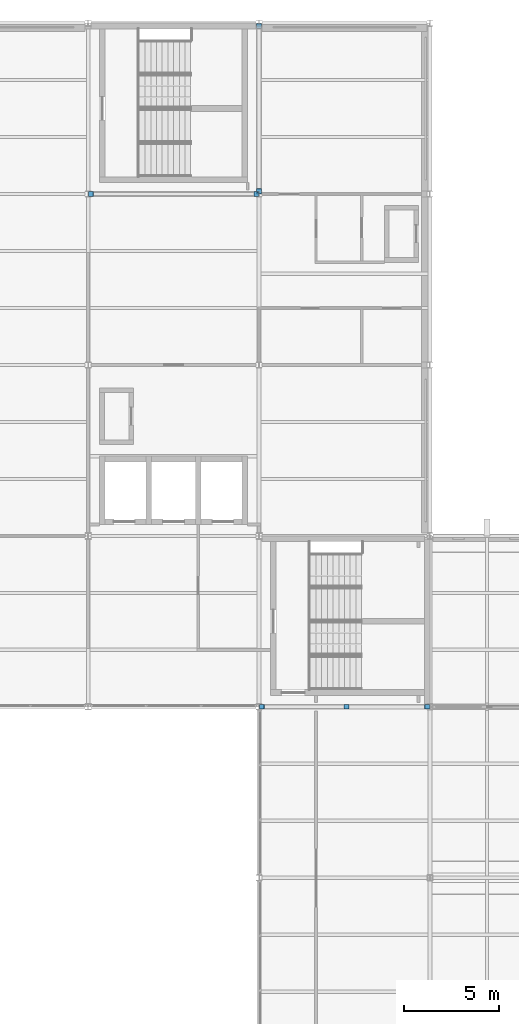
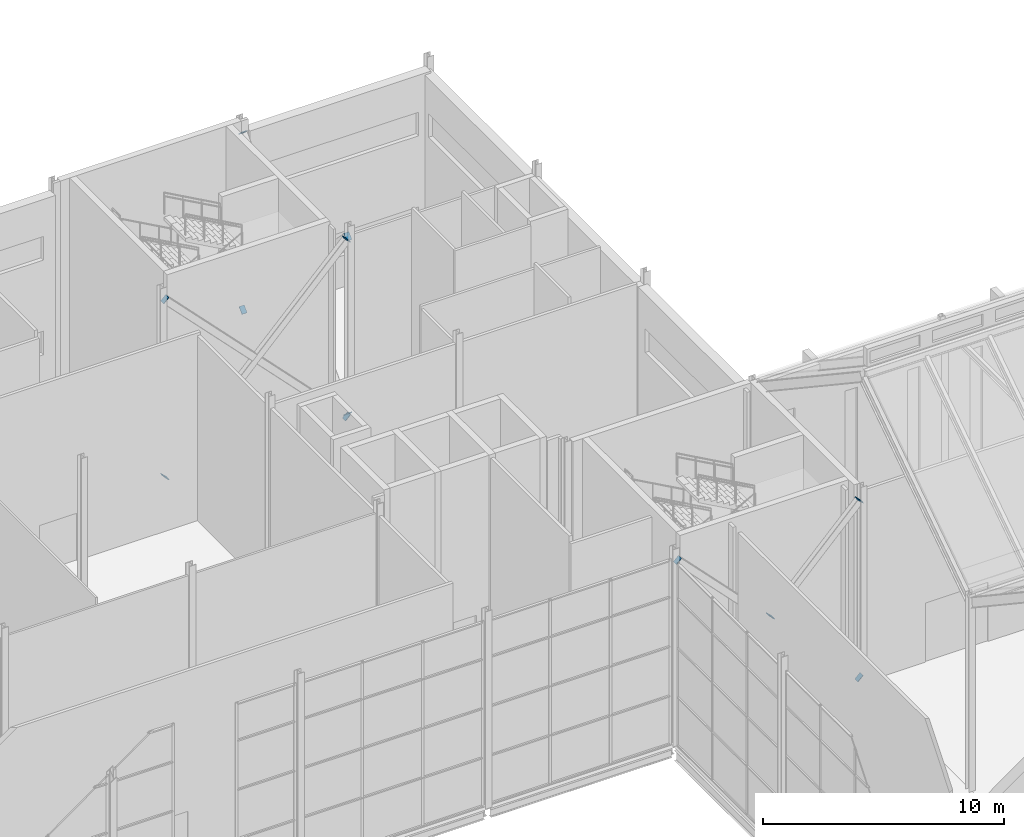
# One storey, part 103 of 111: 12 discrete accessories.
"""IFC4 building model written with IfcOpenShell, lengths in metres."""

from ifc_helpers import new_model, si_unit, direction, frame, origin, place, context, subcontext, project, spatial, polyline, outline, extrude, material, layer, layer_set, type_object, element, save


model = new_model("IFC4")

# Units and contexts
model_context = context("Model", 3, precision=1e-05, world=origin(), true_north=direction((0.0, 1.0)))
body_context = subcontext(model_context, "Body", "Model", "MODEL_VIEW")
ifc_project = project(units=[si_unit("LENGTHUNIT", "METRE"), si_unit("AREAUNIT", "SQUARE_METRE"), si_unit("VOLUMEUNIT", "CUBIC_METRE"), si_unit("PLANEANGLEUNIT", "RADIAN"), si_unit("MASSUNIT", "GRAM", prefix="KILO")], contexts=[model_context])

# Site, building, storey
site_placement = place(None, origin())
site = spatial("IfcSite", under=ifc_project, at=site_placement, CompositionType="ELEMENT")
building_placement = place(site_placement, origin())
building = spatial("IfcBuilding", under=site, at=building_placement, Name="Shorebreak Coast Museum", CompositionType="ELEMENT")
storey_placement = place(building_placement, frame((0.0, 0.0, 16.0)))
storey = spatial("IfcBuildingStorey", under=building, at=storey_placement, Name="L03", CompositionType="ELEMENT", Elevation=16.0)

# Discrete accessories
ifc_material = material(Name="Steel Grade 300", Category="steel")
ifc_layer = layer(ifc_material, 0.02490234375)
ifc_layer_set = layer_set([ifc_layer], Name="Steel Grade 300")
discrete_accessory_type = type_object("IfcDiscreteAccessoryType", Name="End plate 250 x 350 x 25", PredefinedType="BRACKET", material=ifc_layer_set)
discrete_accessory_1_placement = place(storey_placement, frame((112.734619140625, 80.875, 4.777099609375), z_axis=(0.695862655267, 0.0, 0.718174884694), x_axis=(0.0, 1.0, 0.0)))
element("IfcDiscreteAccessory", 1, at=discrete_accessory_1_placement, inside=storey, type_object=discrete_accessory_type, Name="End plate X-brace bay 04 L03 diagonal 1 end 1", PredefinedType="BRACKET", context=body_context, shape_type="SweptSolid", body=[
    extrude(outline(polyline([(0.0, 0.0), (0.25, 0.0), (0.25, 0.35014430204856983), (0.0, 0.35014430204856983), (0.0, 0.0)])), origin(), (0.0, 0.0, -1.0), 0.02490234375),
])
discrete_accessory_2_placement = place(storey_placement, frame((116.990478515625, 80.875, 9.171142578125), z_axis=(0.696211202838, 0.0, 0.717837001723), x_axis=(0.0, 1.0, 0.0)))
element("IfcDiscreteAccessory", 2, at=discrete_accessory_2_placement, inside=storey, type_object=discrete_accessory_type, Name="End plate X-brace bay 04 L03 diagonal 1 end 2", PredefinedType="BRACKET", context=body_context, shape_type="SweptSolid", body=[
    extrude(outline(polyline([(0.0, 0.0), (0.25, 0.0), (0.25, 0.349969007618514), (0.0, 0.349969007618514), (0.0, 0.0)])), origin(), (0.0, 0.0, -1.0), 0.02490234375),
])
discrete_accessory_3_placement = place(storey_placement, frame((116.7216796875, 81.125, 0.17822265625), z_axis=(-0.695862655267, 0.0, 0.718174884694), x_axis=(0.0, -1.0, 0.0)))
element("IfcDiscreteAccessory", 3, at=discrete_accessory_3_placement, inside=storey, type_object=discrete_accessory_type, Name="End plate X-brace bay 04 L03 diagonal 2 end 1", PredefinedType="BRACKET", context=body_context, shape_type="SweptSolid", body=[
    extrude(outline(polyline([(0.0, 0.0), (0.25, 0.0), (0.25, 0.35014430204856983), (0.0, 0.35014430204856983), (0.0, 0.0)])), origin(), (0.0, 0.0, -1.0), 0.02490234375),
])
discrete_accessory_4_placement = place(storey_placement, frame((108.011474609375, 81.125, 9.171142578125), z_axis=(-0.696211202838, 0.0, 0.717837001723), x_axis=(0.0, -1.0, 0.0)))
element("IfcDiscreteAccessory", 4, at=discrete_accessory_4_placement, inside=storey, type_object=discrete_accessory_type, Name="End plate X-brace bay 04 L03 diagonal 2 end 2", PredefinedType="BRACKET", context=body_context, shape_type="SweptSolid", body=[
    extrude(outline(polyline([(0.0, 0.0), (0.25, 0.0), (0.25, 0.349969007618514), (0.0, 0.349969007618514), (0.0, 0.0)])), origin(), (0.0, 0.0, -1.0), 0.02490234375),
])
discrete_accessory_5_placement = place(storey_placement, frame((99.2783203125, 107.875, 0.17822265625), z_axis=(0.695862655267, 0.0, 0.718174884694), x_axis=(0.0, 1.0, 0.0)))
element("IfcDiscreteAccessory", 5, at=discrete_accessory_5_placement, inside=storey, type_object=discrete_accessory_type, Name="End plate X-brace bay 11 L03 diagonal 1 end 1", PredefinedType="BRACKET", context=body_context, shape_type="SweptSolid", body=[
    extrude(outline(polyline([(0.0, 0.0), (0.25, 0.0), (0.25, 0.35014430204856983), (0.0, 0.35014430204856983), (0.0, 0.0)])), origin(), (0.0, 0.0, -1.0), 0.02490234375),
])
discrete_accessory_6_placement = place(storey_placement, frame((107.990478515625, 107.875, 9.171142578125), z_axis=(0.696211202838, 0.0, 0.717837001723), x_axis=(0.0, 1.0, 0.0)))
element("IfcDiscreteAccessory", 6, at=discrete_accessory_6_placement, inside=storey, type_object=discrete_accessory_type, Name="End plate X-brace bay 11 L03 diagonal 1 end 2", PredefinedType="BRACKET", context=body_context, shape_type="SweptSolid", body=[
    extrude(outline(polyline([(0.0, 0.0), (0.25, 0.0), (0.25, 0.349969007618514), (0.0, 0.349969007618514), (0.0, 0.0)])), origin(), (0.0, 0.0, -1.0), 0.02490234375),
])
discrete_accessory_7_placement = place(storey_placement, frame((107.7216796875, 108.125, 0.17822265625), z_axis=(-0.695862655267, 0.0, 0.718174884694), x_axis=(0.0, -1.0, 0.0)))
element("IfcDiscreteAccessory", 7, at=discrete_accessory_7_placement, inside=storey, type_object=discrete_accessory_type, Name="End plate X-brace bay 11 L03 diagonal 2 end 1", PredefinedType="BRACKET", context=body_context, shape_type="SweptSolid", body=[
    extrude(outline(polyline([(0.0, 0.0), (0.25, 0.0), (0.25, 0.35014430204856983), (0.0, 0.35014430204856983), (0.0, 0.0)])), origin(), (0.0, 0.0, -1.0), 0.02490234375),
])
discrete_accessory_8_placement = place(storey_placement, frame((99.009521484375, 108.125, 9.171142578125), z_axis=(-0.696211202838, 0.0, 0.717837001723), x_axis=(0.0, -1.0, 0.0)))
element("IfcDiscreteAccessory", 8, at=discrete_accessory_8_placement, inside=storey, type_object=discrete_accessory_type, Name="End plate X-brace bay 11 L03 diagonal 2 end 2", PredefinedType="BRACKET", context=body_context, shape_type="SweptSolid", body=[
    extrude(outline(polyline([(0.0, 0.0), (0.25, 0.0), (0.25, 0.349969007618514), (0.0, 0.349969007618514), (0.0, 0.0)])), origin(), (0.0, 0.0, -1.0), 0.02490234375),
])
discrete_accessory_9_placement = place(storey_placement, frame((108.125, 108.27978515625, 0.17822265625), z_axis=(0.0, 0.695502765476, 0.718523418696), x_axis=(-1.0, 0.0, 0.0)))
element("IfcDiscreteAccessory", 9, at=discrete_accessory_9_placement, inside=storey, type_object=discrete_accessory_type, Name="End plate X-brace bay 12 L03 diagonal 1 end 1", PredefinedType="BRACKET", context=body_context, shape_type="SweptSolid", body=[
    extrude(outline(polyline([(0.0, 0.0), (0.25, 0.0), (0.25, 0.34997445762620044), (0.0, 0.34997445762620044), (0.0, 0.0)])), origin(), (0.0, 0.0, -1.0), 0.02490234375),
])
discrete_accessory_10_placement = place(storey_placement, frame((108.125, 116.9794921875, 9.17138671875), z_axis=(0.0, 0.69514235147, 0.718872110456), x_axis=(-1.0, 0.0, 0.0)))
element("IfcDiscreteAccessory", 10, at=discrete_accessory_10_placement, inside=storey, type_object=discrete_accessory_type, Name="End plate X-brace bay 12 L03 diagonal 1 end 2", PredefinedType="BRACKET", context=body_context, shape_type="SweptSolid", body=[
    extrude(outline(polyline([(0.0, 0.0), (0.25, 0.0), (0.25, 0.3498047011315254), (0.0, 0.3498047011315254), (0.0, 0.0)])), origin(), (0.0, 0.0, -1.0), 0.02490234375),
])
discrete_accessory_11_placement = place(storey_placement, frame((107.875, 116.710693359375, 0.17822265625), z_axis=(0.0, -0.695502765476, 0.718523418696), x_axis=(1.0, 0.0, 0.0)))
element("IfcDiscreteAccessory", 11, at=discrete_accessory_11_placement, inside=storey, type_object=discrete_accessory_type, Name="End plate X-brace bay 12 L03 diagonal 2 end 1", PredefinedType="BRACKET", context=body_context, shape_type="SweptSolid", body=[
    extrude(outline(polyline([(0.0, 0.0), (0.25, 0.0), (0.25, 0.34997445762620044), (0.0, 0.34997445762620044), (0.0, 0.0)])), origin(), (0.0, 0.0, -1.0), 0.02490234375),
])
discrete_accessory_12_placement = place(storey_placement, frame((107.875, 108.0107421875, 9.17138671875), z_axis=(0.0, -0.69479367414, 0.719209114496), x_axis=(1.0, 0.0, 0.0)))
element("IfcDiscreteAccessory", 12, at=discrete_accessory_12_placement, inside=storey, type_object=discrete_accessory_type, Name="End plate X-brace bay 12 L03 diagonal 2 end 2", PredefinedType="BRACKET", context=body_context, shape_type="SweptSolid", body=[
    extrude(outline(polyline([(0.0, 0.0), (0.25, 0.0), (0.25, 0.34998024816637563), (0.0, 0.34998024816637563), (0.0, 0.0)])), origin(), (0.0, 0.0, -1.0), 0.02490234375),
])

save(model, "model.ifc")
